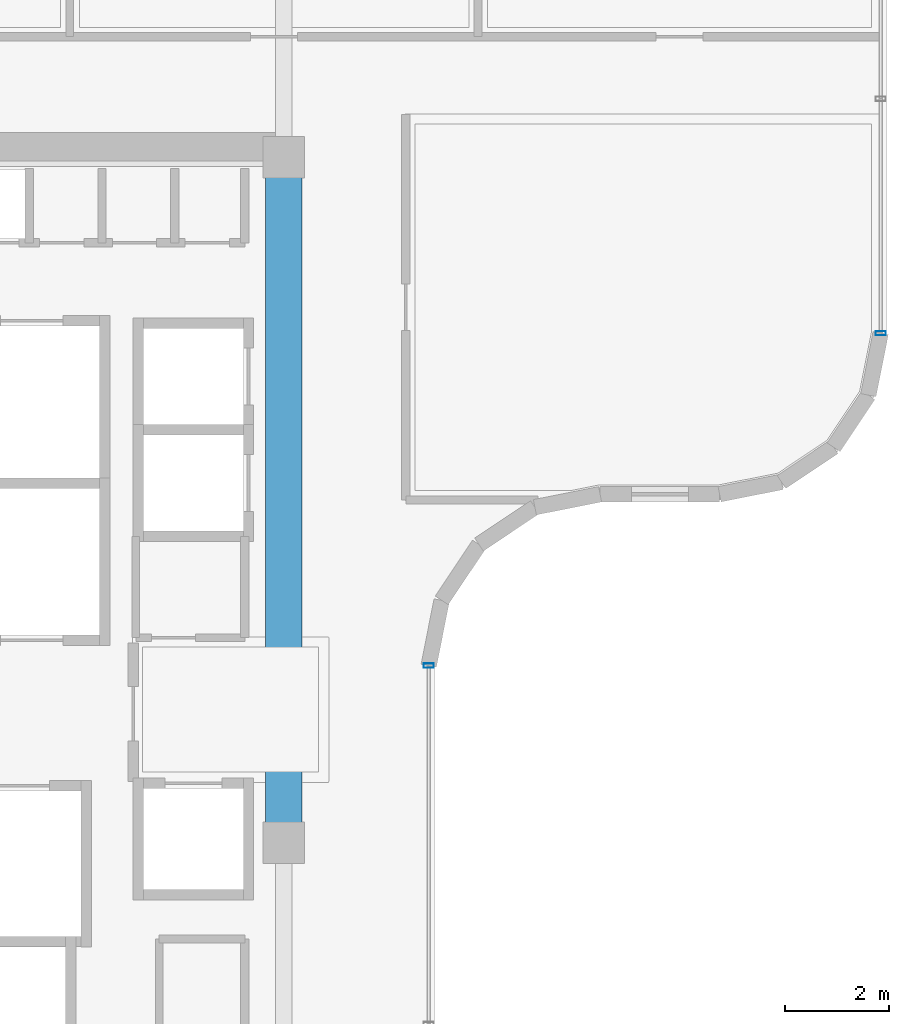
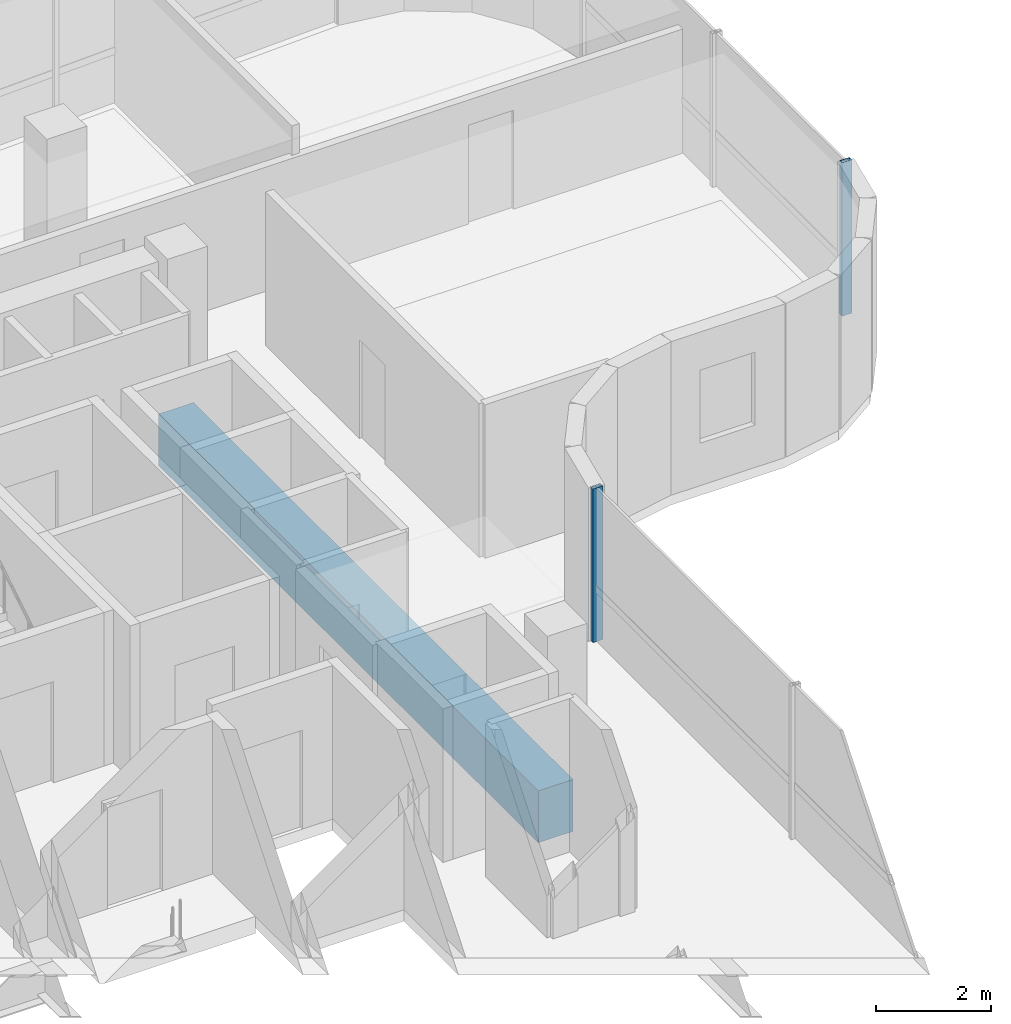
# One storey, part 10 of 21: 2 members, 1 beam, 2 elements without a shape of their own.
"""IFC4 building model written with IfcOpenShell, lengths in metres."""

from ifc_helpers import new_model, si_unit, direction, frame, origin, origin_2d, place, context, subcontext, project, spatial, rectangle, hollow_rectangle, extrude, source, transform, mapped, material, material_profile, profile_set, type_object, element, aggregate, save


model = new_model("IFC4")

# Units and contexts
model_context = context("Model", 3, precision=1e-05, world=origin(), true_north=direction((0.0, 1.0)))
body_context = subcontext(model_context, "Body", "Model", "MODEL_VIEW")
ifc_project = project(units=[si_unit("LENGTHUNIT", "METRE"), si_unit("AREAUNIT", "SQUARE_METRE"), si_unit("VOLUMEUNIT", "CUBIC_METRE"), si_unit("PLANEANGLEUNIT", "RADIAN"), si_unit("MASSUNIT", "GRAM", prefix="KILO")], contexts=[model_context])

# Site, building, storey
site_placement = place(None, origin())
site = spatial("IfcSite", under=ifc_project, at=site_placement, CompositionType="ELEMENT")
building_placement = place(site_placement, origin())
building = spatial("IfcBuilding", under=site, at=building_placement, Name="Valdorenza Pilgrim Sanctuary Tower", CompositionType="ELEMENT")
storey_placement = place(building_placement, frame((0.0, 0.0, 258.0)))
storey = spatial("IfcBuildingStorey", under=building, at=storey_placement, Name="L67", CompositionType="ELEMENT", Elevation=258.0)

# Beam
ifc_material_1 = material(Name="Concrete C50/60", Category="concrete")
ifc_material_profile_1 = material_profile(ifc_material_1, rectangle(XDim=0.699951171875, YDim=1.10009765625, at=origin_2d()), Name="RC 1100x700")
ifc_profile_set_1 = profile_set([ifc_material_profile_1], Name="Concrete C50/60")
beam_type = type_object("IfcBeamType", Name="STR-BM-LNT-1100", PredefinedType="LINTEL", material=ifc_profile_set_1)
shared_shape_1 = source(origin(), body_context, "Body", "SweptSolid", [
    extrude(rectangle(XDim=0.699951171875, YDim=1.10009765625, at=origin_2d()), origin(), (0.0, 0.0, 1.0), 13.2001953125),
])
beam_placement = place(storey_placement, frame((-12.39990234375, -2.60009765625, -0.590087890625), z_axis=(0.0, 1.0, 0.0), x_axis=(-1.0, 0.0, 0.0)))
element("IfcBeam", 1, at=beam_placement, inside=storey, type_object=beam_type, Name="L67 Core A Coupling Lintel Girder", PredefinedType="LINTEL", context=body_context, shape_type="MappedRepresentation", body=[
    mapped(shared_shape_1, transform((0.0, 0.0, 0.0), x_axis=(1.0, 0.0, 0.0), y_axis=(0.0, 1.0, 0.0), z_axis=(0.0, 0.0, 1.0), scale=1.0)),
])

# Curtain wall, member
ifc_material_2 = material(Name="Curtain-wall IGU glazing", Category="glass")
curtain_wall_type = type_object("IfcCurtainWallType", Name="CW-SYS-02", PredefinedType="NOTDEFINED", material=ifc_material_2)
curtain_wall_1_placement = place(storey_placement, origin())
curtain_wall_1 = element("IfcCurtainWall", 2, at=curtain_wall_1_placement, inside=storey, type_object=curtain_wall_type, Name="L67 Curtain Wall CW-L67-1-11", PredefinedType="NOTDEFINED")
ifc_material_3 = material(Name="Anodised aluminium AW-6060", Category="aluminium")
ifc_material_profile_2 = material_profile(ifc_material_3, hollow_rectangle(XDim=0.0849609375, YDim=0.199951171875, WallThickness=0.0048828125, at=origin_2d()), Name="ALU-M 200x85x5")
ifc_profile_set_2 = profile_set([ifc_material_profile_2], Name="Anodised aluminium AW-6060")
member_type = type_object("IfcMemberType", Name="CW-MUL-02", PredefinedType="MULLION", material=ifc_profile_set_2)
shared_shape_2 = source(origin(), body_context, "Body", "SweptSolid", [
    extrude(hollow_rectangle(XDim=0.0849609375, YDim=0.199951171875, WallThickness=0.0048828125, at=origin_2d()), origin(), (0.0, 0.0, 1.0), 3.260009765625),
])
member_1_placement = place(storey_placement, frame((-0.909912109375, 7.210693359375, 0.0), z_axis=(0.0, 0.0, 1.0), x_axis=(0.0, -1.0, 0.0)))
member_1 = element("IfcMember", 3, at=member_1_placement, type_object=member_type, Name="CW-L67-1-11 Mullion 3", PredefinedType="MULLION", context=body_context, shape_type="MappedRepresentation", body=[
    mapped(shared_shape_2, transform((0.0, 0.0, 0.0), x_axis=(1.0, 0.0, 0.0), y_axis=(0.0, 1.0, 0.0), z_axis=(0.0, 0.0, 1.0), scale=1.0)),
])
aggregate(curtain_wall_1, [member_1])

curtain_wall_2_placement = place(storey_placement, origin())
curtain_wall_2 = element("IfcCurtainWall", 4, at=curtain_wall_2_placement, inside=storey, type_object=curtain_wall_type, Name="L67 Curtain Wall CW-L67-1-21", PredefinedType="NOTDEFINED")
member_2_placement = place(storey_placement, frame((-9.610107421875, 0.810791015625, 0.0), z_axis=(0.0, 0.0, 1.0), x_axis=(0.0, -1.0, 0.0)))
member_2 = element("IfcMember", 5, at=member_2_placement, type_object=member_type, Name="CW-L67-1-21 Mullion 1", PredefinedType="MULLION", context=body_context, shape_type="MappedRepresentation", body=[
    mapped(shared_shape_2, transform((0.0, 0.0, 0.0), x_axis=(1.0, 0.0, 0.0), y_axis=(0.0, 1.0, 0.0), z_axis=(0.0, 0.0, 1.0), scale=1.0)),
])
aggregate(curtain_wall_2, [member_2])

save(model, "model.ifc")
